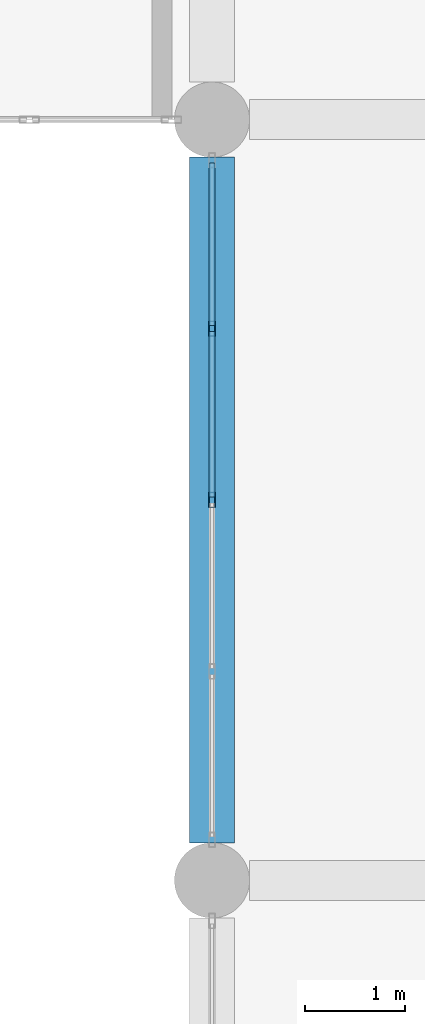
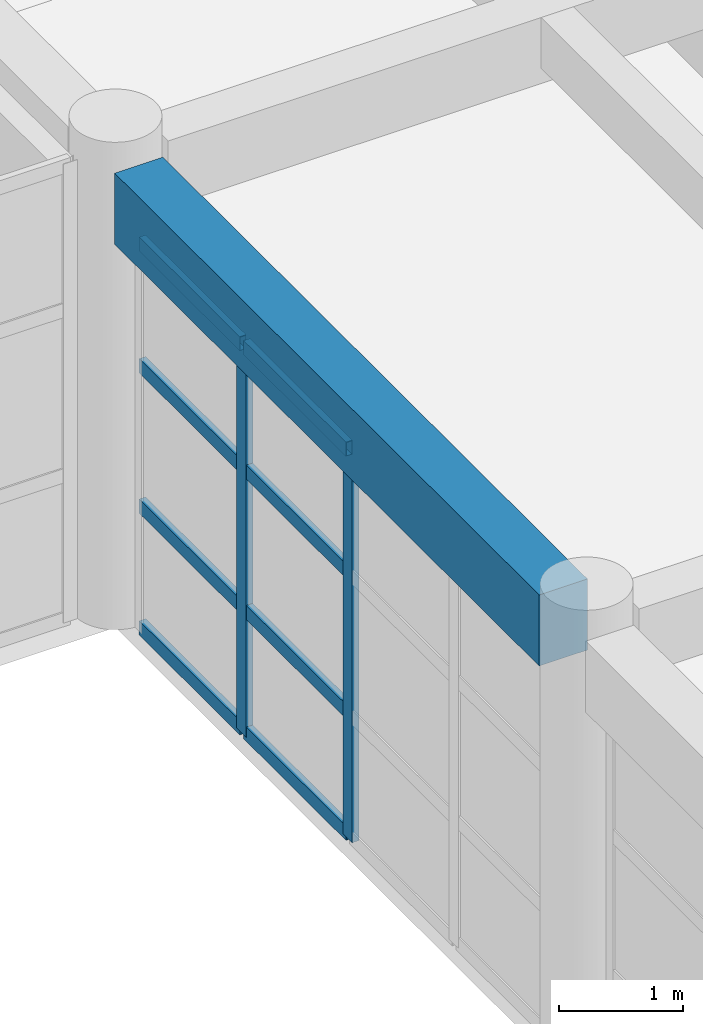
# One storey, part 19 of 101: 10 members, 1 beam, 1 element without a shape of its own.
"""IFC4 building model written with IfcOpenShell, lengths in metres."""

from ifc_helpers import new_model, si_unit, direction, frame, origin, origin_2d, place, context, subcontext, project, spatial, rectangle, hollow_rectangle, extrude, material, material_profile, profile_set, type_object, element, aggregate, save


model = new_model("IFC4")

# Units and contexts
model_context = context("Model", 3, precision=1e-05, world=origin(), true_north=direction((0.0, 1.0)))
body_context = subcontext(model_context, "Body", "Model", "MODEL_VIEW")
ifc_project = project(units=[si_unit("LENGTHUNIT", "METRE"), si_unit("AREAUNIT", "SQUARE_METRE"), si_unit("VOLUMEUNIT", "CUBIC_METRE"), si_unit("PLANEANGLEUNIT", "RADIAN"), si_unit("MASSUNIT", "GRAM", prefix="KILO")], contexts=[model_context])

# Site, building, storey
site_placement = place(None, origin())
site = spatial("IfcSite", under=ifc_project, at=site_placement, CompositionType="ELEMENT")
building_placement = place(site_placement, origin())
building = spatial("IfcBuilding", under=site, at=building_placement, Name="Zantavel Square City Hall", CompositionType="ELEMENT")
storey_placement = place(building_placement, frame((0.0, 0.0, 5.39990234375)))
storey = spatial("IfcBuildingStorey", under=building, at=storey_placement, Name="L02", CompositionType="ELEMENT", Elevation=5.39990234375)

# Curtain wall, members
ifc_material_1 = material(Name="Anodised aluminium 6063-T6", Category="aluminium")
curtain_wall_type = type_object("IfcCurtainWallType", Name="Curtain Wall CRT 6850x3840", PredefinedType="USERDEFINED", material=ifc_material_1)
curtain_wall_placement = place(storey_placement, origin())
curtain_wall = element("IfcCurtainWall", 1, at=curtain_wall_placement, inside=storey, type_object=curtain_wall_type, Name="L02 Glazed Curtain Wall CW-L02-080", ObjectType="GLAZED CURTAIN WALL", PredefinedType="USERDEFINED")
ifc_material_profile_1 = material_profile(ifc_material_1, hollow_rectangle(XDim=0.06494140625, YDim=0.14990234375, WallThickness=0.00390625, at=origin_2d()), Name="ALU 65x150x4")
ifc_profile_set_1 = profile_set([ifc_material_profile_1], Name="Anodised aluminium 6063-T6")
member_type_1 = type_object("IfcMemberType", Name="CW Mullion ALU 65x150x4", PredefinedType="MULLION", material=ifc_profile_set_1)
member_1_placement = place(storey_placement, frame((48.0, 64.60009765625, 0.0), z_axis=(0.0, 0.0, 1.0), x_axis=(-1.0, 0.0, 0.0)))
member_1 = element("IfcMember", 2, at=member_1_placement, type_object=member_type_1, Name="CW-080 mullion 3", PredefinedType="MULLION", context=body_context, shape_type="SweptSolid", body=[
    extrude(hollow_rectangle(XDim=0.06494140625, YDim=0.14990234375, WallThickness=0.00390625, at=origin_2d()), origin(), (0.0, 0.0, 1.0), 3.840087890625),
])
member_2_placement = place(storey_placement, frame((48.0, 66.3125, 0.0), z_axis=(0.0, 0.0, 1.0), x_axis=(-1.0, 0.0, 0.0)))
member_2 = element("IfcMember", 3, at=member_2_placement, type_object=member_type_1, Name="CW-080 mullion 4", PredefinedType="MULLION", context=body_context, shape_type="SweptSolid", body=[
    extrude(hollow_rectangle(XDim=0.06494140625, YDim=0.14990234375, WallThickness=0.00390625, at=origin_2d()), origin(), (0.0, 0.0, 1.0), 3.840087890625),
])
ifc_material_profile_2 = material_profile(ifc_material_1, hollow_rectangle(XDim=0.06005859375, YDim=0.139892578125, WallThickness=0.00390625, at=origin_2d()), Name="ALU 60x140x4")
ifc_profile_set_2 = profile_set([ifc_material_profile_2], Name="Anodised aluminium 6063-T6")
member_type_2 = type_object("IfcMemberType", Name="CW Transom ALU 60x140x4", PredefinedType="USERDEFINED", material=ifc_profile_set_2)
member_3_placement = place(storey_placement, frame((48.0, 64.6298828125, 0.030029296875), z_axis=(0.0, 1.0, 0.0), x_axis=(-1.0, 0.0, 0.0)))
member_3 = element("IfcMember", 4, at=member_3_placement, type_object=member_type_2, Name="CW-080 transom 3.1", ObjectType="TRANSOM", PredefinedType="USERDEFINED", context=body_context, shape_type="SweptSolid", body=[
    extrude(hollow_rectangle(XDim=0.06005859375, YDim=0.139892578125, WallThickness=0.00390625, at=origin_2d()), origin(), (0.0, 0.0, 1.0), 1.652587890625),
])
member_4_placement = place(storey_placement, frame((48.0, 64.6298828125, 1.22900390625), z_axis=(0.0, 1.0, 0.0), x_axis=(-1.0, 0.0, 0.0)))
member_4 = element("IfcMember", 5, at=member_4_placement, type_object=member_type_2, Name="CW-080 transom 3.2", ObjectType="TRANSOM", PredefinedType="USERDEFINED", context=body_context, shape_type="SweptSolid", body=[
    extrude(hollow_rectangle(XDim=0.06005859375, YDim=0.139892578125, WallThickness=0.00390625, at=origin_2d()), origin(), (0.0, 0.0, 1.0), 1.652587890625),
])
member_5_placement = place(storey_placement, frame((48.0, 64.6298828125, 2.611083984375), z_axis=(0.0, 1.0, 0.0), x_axis=(-1.0, 0.0, 0.0)))
member_5 = element("IfcMember", 6, at=member_5_placement, type_object=member_type_2, Name="CW-080 transom 3.3", ObjectType="TRANSOM", PredefinedType="USERDEFINED", context=body_context, shape_type="SweptSolid", body=[
    extrude(hollow_rectangle(XDim=0.06005859375, YDim=0.139892578125, WallThickness=0.00390625, at=origin_2d()), origin(), (0.0, 0.0, 1.0), 1.652587890625),
])
member_6_placement = place(storey_placement, frame((48.0, 64.6298828125, 3.81005859375), z_axis=(0.0, 1.0, 0.0), x_axis=(-1.0, 0.0, 0.0)))
member_6 = element("IfcMember", 7, at=member_6_placement, type_object=member_type_2, Name="CW-080 transom 3.4", ObjectType="TRANSOM", PredefinedType="USERDEFINED", context=body_context, shape_type="SweptSolid", body=[
    extrude(hollow_rectangle(XDim=0.06005859375, YDim=0.139892578125, WallThickness=0.00390625, at=origin_2d()), origin(), (0.0, 0.0, 1.0), 1.652587890625),
])
member_7_placement = place(storey_placement, frame((48.0, 66.342529296875, 0.030029296875), z_axis=(0.0, 1.0, 0.0), x_axis=(-1.0, 0.0, 0.0)))
member_7 = element("IfcMember", 8, at=member_7_placement, type_object=member_type_2, Name="CW-080 transom 4.1", ObjectType="TRANSOM", PredefinedType="USERDEFINED", context=body_context, shape_type="SweptSolid", body=[
    extrude(hollow_rectangle(XDim=0.06005859375, YDim=0.139892578125, WallThickness=0.00390625, at=origin_2d()), origin(), (0.0, 0.0, 1.0), 1.62255859375),
])
member_8_placement = place(storey_placement, frame((48.0, 66.342529296875, 1.22900390625), z_axis=(0.0, 1.0, 0.0), x_axis=(-1.0, 0.0, 0.0)))
member_8 = element("IfcMember", 9, at=member_8_placement, type_object=member_type_2, Name="CW-080 transom 4.2", ObjectType="TRANSOM", PredefinedType="USERDEFINED", context=body_context, shape_type="SweptSolid", body=[
    extrude(hollow_rectangle(XDim=0.06005859375, YDim=0.139892578125, WallThickness=0.00390625, at=origin_2d()), origin(), (0.0, 0.0, 1.0), 1.62255859375),
])
member_9_placement = place(storey_placement, frame((48.0, 66.342529296875, 2.611083984375), z_axis=(0.0, 1.0, 0.0), x_axis=(-1.0, 0.0, 0.0)))
member_9 = element("IfcMember", 10, at=member_9_placement, type_object=member_type_2, Name="CW-080 transom 4.3", ObjectType="TRANSOM", PredefinedType="USERDEFINED", context=body_context, shape_type="SweptSolid", body=[
    extrude(hollow_rectangle(XDim=0.06005859375, YDim=0.139892578125, WallThickness=0.00390625, at=origin_2d()), origin(), (0.0, 0.0, 1.0), 1.62255859375),
])
member_10_placement = place(storey_placement, frame((48.0, 66.342529296875, 3.81005859375), z_axis=(0.0, 1.0, 0.0), x_axis=(-1.0, 0.0, 0.0)))
member_10 = element("IfcMember", 11, at=member_10_placement, type_object=member_type_2, Name="CW-080 transom 4.4", ObjectType="TRANSOM", PredefinedType="USERDEFINED", context=body_context, shape_type="SweptSolid", body=[
    extrude(hollow_rectangle(XDim=0.06005859375, YDim=0.139892578125, WallThickness=0.00390625, at=origin_2d()), origin(), (0.0, 0.0, 1.0), 1.62255859375),
])
aggregate(curtain_wall, [member_1, member_2, member_3, member_4, member_5, member_6, member_7, member_8, member_9, member_10])

# Beam
ifc_material_2 = material(Name="Concrete C35/45", Category="concrete")
ifc_material_profile_3 = material_profile(ifc_material_2, rectangle(XDim=0.449951171875, YDim=0.699951171875, at=origin_2d()), Name="RC 450x700")
ifc_profile_set_3 = profile_set([ifc_material_profile_3], Name="Concrete C35/45")
beam_type = type_object("IfcBeamType", Name="Primary Girder RC 450x700 C35/45", PredefinedType="BEAM", material=ifc_profile_set_3)
beam_placement = place(storey_placement, frame((48.0, 61.175048828125, 4.190185546875), z_axis=(0.0, 1.0, 0.0), x_axis=(-1.0, 0.0, 0.0)))
element("IfcBeam", 12, at=beam_placement, inside=storey, type_object=beam_type, Name="L02 Beam BMY-L02-0480-0608", PredefinedType="BEAM", context=body_context, shape_type="SweptSolid", body=[
    extrude(rectangle(XDim=0.449951171875, YDim=0.699951171875, at=origin_2d()), origin(), (0.0, 0.0, 1.0), 6.849853515625),
])

save(model, "model.ifc")
